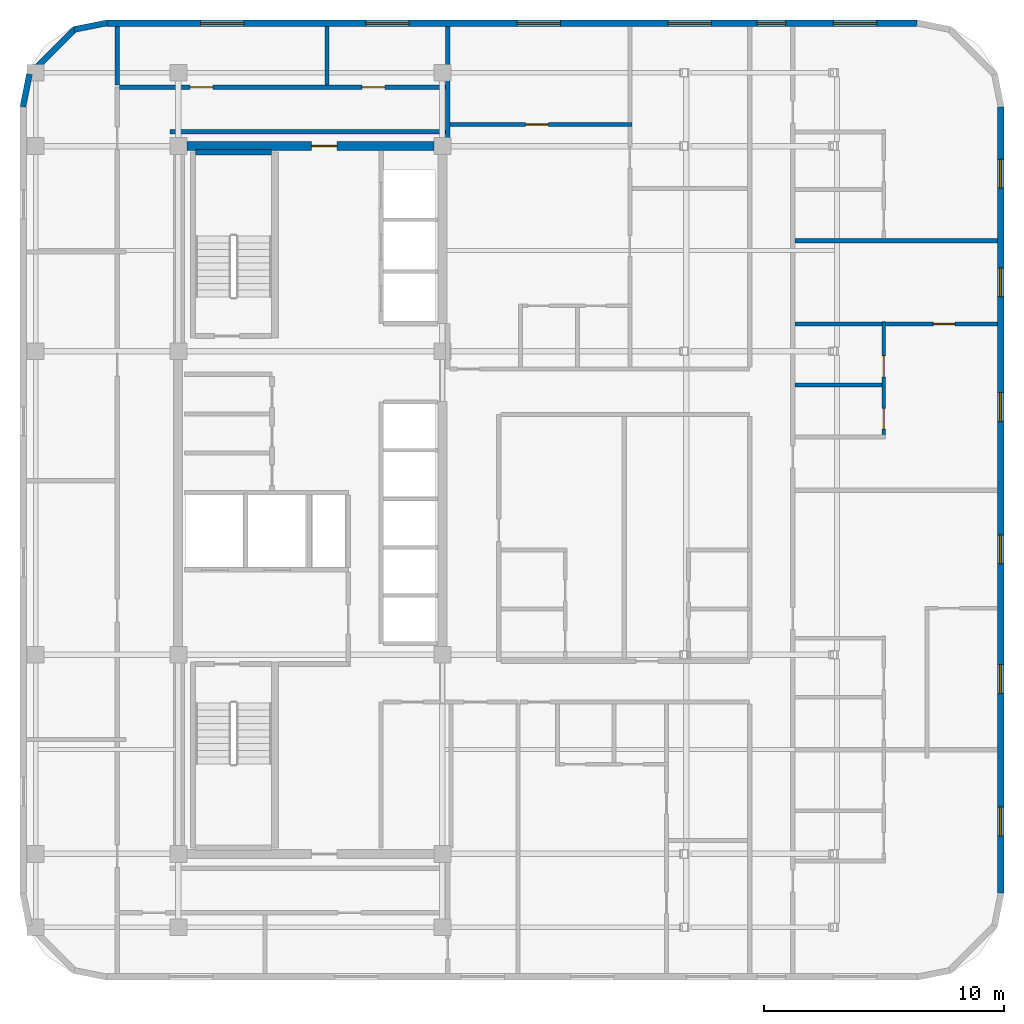
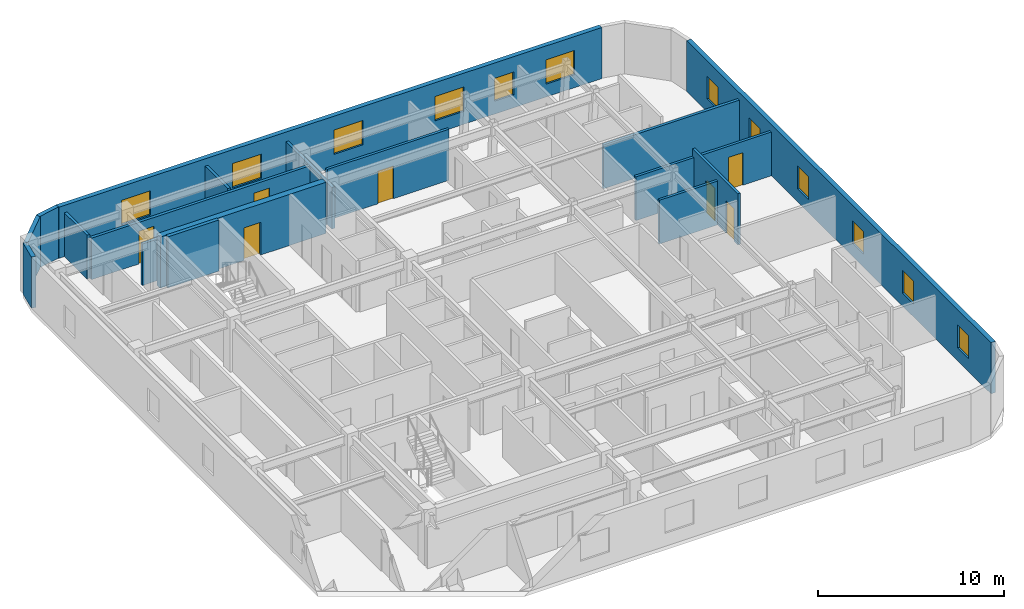
# One storey, part 6 of 8: 17 walls, 12 windows, 7 doors, 19 openings.
"""IFC4 building model written with IfcOpenShell, lengths in metres."""

from ifc_helpers import new_model, si_unit, direction, frame, frame_2d, origin, place, context, subcontext, project, spatial, rectangle, extrude, material, layer, layer_set, type_object, element, fill, save


model = new_model("IFC4")

# Units and contexts
model_context = context("Model", 3, precision=1e-05, world=origin(), true_north=direction((0.0, 1.0)))
body_context = subcontext(model_context, "Body", "Model", "MODEL_VIEW")
ifc_project = project(units=[si_unit("LENGTHUNIT", "METRE"), si_unit("AREAUNIT", "SQUARE_METRE"), si_unit("VOLUMEUNIT", "CUBIC_METRE"), si_unit("PLANEANGLEUNIT", "RADIAN"), si_unit("MASSUNIT", "GRAM", prefix="KILO")], contexts=[model_context])

# Site, building, storey
site_placement = place(None, origin())
site = spatial("IfcSite", under=ifc_project, at=site_placement, CompositionType="ELEMENT")
building_placement = place(site_placement, origin())
building = spatial("IfcBuilding", under=site, at=building_placement, Name="Ochreholt Gables", CompositionType="ELEMENT")
storey_placement = place(building_placement, frame((0.0, 0.0, 151.800048828125)))
storey = spatial("IfcBuildingStorey", under=building, at=storey_placement, Name="L39", CompositionType="ELEMENT", Elevation=151.800048828125)

# Wall, opening, door
ifc_material_1 = material(Name="Concrete 50 MPa", Category="concrete")
ifc_layer_1 = layer(ifc_material_1, 0.3798828125, Name="Concrete 50 MPa")
ifc_layer_set_1 = layer_set([ifc_layer_1], Name="Concrete 50 MPa")
wall_type_1 = type_object("IfcWallType", Name="WALL-CSW-380", PredefinedType="SHEAR", material=ifc_layer_set_1)
wall_1_placement = place(storey_placement, frame((24.550048828125, 38.75, 0.0), z_axis=(0.0, 0.0, 1.0), x_axis=(1.0, 0.0, 0.0)))
wall_1 = element("IfcWall", 1, at=wall_1_placement, inside=storey, type_object=wall_type_1, Name="L39 Core North Shear Wall", PredefinedType="SHEAR", context=body_context, shape_type="SweptSolid", body=[
    extrude(rectangle(XDim=10.300048828125, YDim=0.3798828125, at=frame_2d((5.14990234375, 0.0))), origin(), (0.0, 0.0, 1.0), 3.35986328125),
])
opening_1_placement = place(wall_1_placement, frame((5.199951171875, 0.0, 0.0)))
opening_1 = element("IfcOpeningElement", 2, at=opening_1_placement, cuts=wall_1, Name="Opening D-FLB", PredefinedType="OPENING", context=body_context, shape_type="SweptSolid", body=[
    extrude(rectangle(XDim=1.050048828125, YDim=2.14990234375, at=frame_2d((0.52490234375, 1.074951171875))), frame((0.0, 0.199951171875, 0.0), z_axis=(0.0, -1.0, 0.0), x_axis=(1.0, 0.0, 0.0)), (0.0, 0.0, 1.0), 0.39990234375),
])
ifc_material_2 = material(Name="Hollow Metal Steel", Category="steel")
door_type_1 = type_object("IfcDoorType", Name="DR-INT-FLB1050", OperationType="NOTDEFINED", PredefinedType="DOOR", material=ifc_material_2)
door_1_placement = place(opening_1_placement, frame((1.050048828125, 0.0, 0.0), z_axis=(0.0, 0.0, 1.0), x_axis=(-1.0, 0.0, 0.0)))
door_1 = element("IfcDoor", 3, at=door_1_placement, inside=storey, type_object=door_type_1, Name="L39 Door D-C2CRN-L39", OperationType="SINGLE_SWING_RIGHT", OverallHeight=2.14990234375, OverallWidth=1.050048828125, PredefinedType="DOOR", context=body_context, shape_type="SweptSolid", body=[
    extrude(rectangle(XDim=1.050048828125, YDim=2.14990234375, at=frame_2d((0.52490234375, 1.074951171875))), frame((0.0, 0.02490234375, 0.0), z_axis=(0.0, -1.0, 0.0), x_axis=(1.0, 0.0, 0.0)), (0.0, 0.0, 1.0), 0.050048828125),
])
fill(opening_1, door_1)

# Wall, openings, windows
ifc_material_3 = material(Name="Precast concrete 40 MPa", Category="concrete")
ifc_layer_2 = layer(ifc_material_3, 0.280029296875, Name="Precast concrete 40 MPa")
ifc_layer_set_2 = layer_set([ifc_layer_2], Name="Precast concrete 40 MPa")
wall_type_2 = type_object("IfcWallType", Name="WALL-EXT-280", PredefinedType="SOLIDWALL", material=ifc_layer_set_2)
wall_2_placement = place(storey_placement, frame((58.4599609375, 7.6201171875, 0.0), z_axis=(0.0, 0.0, 1.0), x_axis=(0.0, 1.0, 0.0)))
wall_2 = element("IfcWall", 4, at=wall_2_placement, inside=storey, type_object=wall_type_2, Name="L39 East Exterior Wall", PredefinedType="SOLIDWALL", context=body_context, shape_type="SweptSolid", body=[
    extrude(rectangle(XDim=32.759765625, YDim=0.280029296875, at=frame_2d((16.3798828125, 0.0))), origin(), (0.0, 0.0, 1.0), 3.35986328125),
])
opening_2_placement = place(wall_2_placement, frame((2.389892578125, 0.0, 0.85009765625)))
opening_2 = element("IfcOpeningElement", 5, at=opening_2_placement, cuts=wall_2, Name="Opening WN-3", PredefinedType="OPENING", context=body_context, shape_type="SweptSolid", body=[
    extrude(rectangle(XDim=1.199951171875, YDim=1.5, at=frame_2d((0.60009765625, 0.75))), frame((0.0, 0.14990234375, 0.0), z_axis=(0.0, -1.0, 0.0), x_axis=(1.0, 0.0, 0.0)), (0.0, 0.0, 1.0), 0.300048828125),
])
opening_3_placement = place(wall_2_placement, frame((8.324951171875, 0.0, 0.85009765625)))
opening_3 = element("IfcOpeningElement", 6, at=opening_3_placement, cuts=wall_2, Name="Opening WN-3", PredefinedType="OPENING", context=body_context, shape_type="SweptSolid", body=[
    extrude(rectangle(XDim=1.199951171875, YDim=1.5, at=frame_2d((0.60009765625, 0.75))), frame((0.0, 0.14990234375, 0.0), z_axis=(0.0, -1.0, 0.0), x_axis=(1.0, 0.0, 0.0)), (0.0, 0.0, 1.0), 0.300048828125),
])
opening_4_placement = place(wall_2_placement, frame((13.72509765625, 0.0, 0.85009765625)))
opening_4 = element("IfcOpeningElement", 7, at=opening_4_placement, cuts=wall_2, Name="Opening WN-3", PredefinedType="OPENING", context=body_context, shape_type="SweptSolid", body=[
    extrude(rectangle(XDim=1.199951171875, YDim=1.5, at=frame_2d((0.60009765625, 0.75))), frame((0.0, 0.14990234375, 0.0), z_axis=(0.0, -1.0, 0.0), x_axis=(1.0, 0.0, 0.0)), (0.0, 0.0, 1.0), 0.300048828125),
])
opening_5_placement = place(wall_2_placement, frame((19.648681640625, 0.0, 0.85009765625)))
opening_5 = element("IfcOpeningElement", 8, at=opening_5_placement, cuts=wall_2, Name="Opening WN-3", PredefinedType="OPENING", context=body_context, shape_type="SweptSolid", body=[
    extrude(rectangle(XDim=1.199951171875, YDim=1.5, at=frame_2d((0.60009765625, 0.75))), frame((0.0, 0.14990234375, 0.0), z_axis=(0.0, -1.0, 0.0), x_axis=(1.0, 0.0, 0.0)), (0.0, 0.0, 1.0), 0.300048828125),
])
opening_6_placement = place(wall_2_placement, frame((24.8486328125, 0.0, 0.85009765625)))
opening_6 = element("IfcOpeningElement", 9, at=opening_6_placement, cuts=wall_2, Name="Opening WN-3", PredefinedType="OPENING", context=body_context, shape_type="SweptSolid", body=[
    extrude(rectangle(XDim=1.199951171875, YDim=1.5, at=frame_2d((0.60009765625, 0.75))), frame((0.0, 0.14990234375, 0.0), z_axis=(0.0, -1.0, 0.0), x_axis=(1.0, 0.0, 0.0)), (0.0, 0.0, 1.0), 0.300048828125),
])
opening_7_placement = place(wall_2_placement, frame((29.3701171875, 0.0, 0.85009765625)))
opening_7 = element("IfcOpeningElement", 10, at=opening_7_placement, cuts=wall_2, Name="Opening WN-3", PredefinedType="OPENING", context=body_context, shape_type="SweptSolid", body=[
    extrude(rectangle(XDim=1.199951171875, YDim=1.5, at=frame_2d((0.60009765625, 0.75))), frame((0.0, 0.14990234375, 0.0), z_axis=(0.0, -1.0, 0.0), x_axis=(1.0, 0.0, 0.0)), (0.0, 0.0, 1.0), 0.300048828125),
])
ifc_material_4 = material(Name="Triple-Glazed Thermally Broken Aluminium Window", Category="aluminium")
window_type_1 = type_object("IfcWindowType", Name="WIN-RES-1200", PartitioningType="SINGLE_PANEL", PredefinedType="WINDOW", material=ifc_material_4)
window_1_placement = place(opening_2_placement, origin())
window_1 = element("IfcWindow", 11, at=window_1_placement, inside=storey, type_object=window_type_1, Name="L39 Window W-EXT-E-L39-1", OverallHeight=1.5, OverallWidth=1.199951171875, PartitioningType="SINGLE_PANEL", PredefinedType="WINDOW", context=body_context, shape_type="SweptSolid", body=[
    extrude(rectangle(XDim=1.199951171875, YDim=1.5, at=frame_2d((0.60009765625, 0.75))), frame((0.0, 0.030029296875, 0.0), z_axis=(0.0, -1.0, 0.0), x_axis=(1.0, 0.0, 0.0)), (0.0, 0.0, 1.0), 0.06005859375),
])
fill(opening_2, window_1)
window_2_placement = place(opening_3_placement, origin())
window_2 = element("IfcWindow", 12, at=window_2_placement, inside=storey, type_object=window_type_1, Name="L39 Window W-EXT-E-L39-2", OverallHeight=1.5, OverallWidth=1.199951171875, PartitioningType="SINGLE_PANEL", PredefinedType="WINDOW", context=body_context, shape_type="SweptSolid", body=[
    extrude(rectangle(XDim=1.199951171875, YDim=1.5, at=frame_2d((0.60009765625, 0.75))), frame((0.0, 0.030029296875, 0.0), z_axis=(0.0, -1.0, 0.0), x_axis=(1.0, 0.0, 0.0)), (0.0, 0.0, 1.0), 0.06005859375),
])
fill(opening_3, window_2)
window_3_placement = place(opening_4_placement, origin())
window_3 = element("IfcWindow", 13, at=window_3_placement, inside=storey, type_object=window_type_1, Name="L39 Window W-EXT-E-L39-3", OverallHeight=1.5, OverallWidth=1.199951171875, PartitioningType="SINGLE_PANEL", PredefinedType="WINDOW", context=body_context, shape_type="SweptSolid", body=[
    extrude(rectangle(XDim=1.199951171875, YDim=1.5, at=frame_2d((0.60009765625, 0.75))), frame((0.0, 0.030029296875, 0.0), z_axis=(0.0, -1.0, 0.0), x_axis=(1.0, 0.0, 0.0)), (0.0, 0.0, 1.0), 0.06005859375),
])
fill(opening_4, window_3)
window_4_placement = place(opening_5_placement, origin())
window_4 = element("IfcWindow", 14, at=window_4_placement, inside=storey, type_object=window_type_1, Name="L39 Window W-EXT-E-L39-4", OverallHeight=1.5, OverallWidth=1.199951171875, PartitioningType="SINGLE_PANEL", PredefinedType="WINDOW", context=body_context, shape_type="SweptSolid", body=[
    extrude(rectangle(XDim=1.199951171875, YDim=1.5, at=frame_2d((0.60009765625, 0.75))), frame((0.0, 0.030029296875, 0.0), z_axis=(0.0, -1.0, 0.0), x_axis=(1.0, 0.0, 0.0)), (0.0, 0.0, 1.0), 0.06005859375),
])
fill(opening_5, window_4)
window_5_placement = place(opening_6_placement, origin())
window_5 = element("IfcWindow", 15, at=window_5_placement, inside=storey, type_object=window_type_1, Name="L39 Window W-EXT-E-L39-5", OverallHeight=1.5, OverallWidth=1.199951171875, PartitioningType="SINGLE_PANEL", PredefinedType="WINDOW", context=body_context, shape_type="SweptSolid", body=[
    extrude(rectangle(XDim=1.199951171875, YDim=1.5, at=frame_2d((0.60009765625, 0.75))), frame((0.0, 0.030029296875, 0.0), z_axis=(0.0, -1.0, 0.0), x_axis=(1.0, 0.0, 0.0)), (0.0, 0.0, 1.0), 0.06005859375),
])
fill(opening_6, window_5)
window_6_placement = place(opening_7_placement, origin())
window_6 = element("IfcWindow", 16, at=window_6_placement, inside=storey, type_object=window_type_1, Name="L39 Window W-EXT-E-L39-6", OverallHeight=1.5, OverallWidth=1.199951171875, PartitioningType="SINGLE_PANEL", PredefinedType="WINDOW", context=body_context, shape_type="SweptSolid", body=[
    extrude(rectangle(XDim=1.199951171875, YDim=1.5, at=frame_2d((0.60009765625, 0.75))), frame((0.0, 0.030029296875, 0.0), z_axis=(0.0, -1.0, 0.0), x_axis=(1.0, 0.0, 0.0)), (0.0, 0.0, 1.0), 0.06005859375),
])
fill(opening_7, window_6)

wall_3_placement = place(storey_placement, frame((54.97998046875, 43.860107421875, 0.0), z_axis=(0.0, 0.0, 1.0), x_axis=(-1.0, 0.0, 0.0)))
wall_3 = element("IfcWall", 17, at=wall_3_placement, inside=storey, type_object=wall_type_2, Name="L39 North Exterior Wall", PredefinedType="SOLIDWALL", context=body_context, shape_type="SweptSolid", body=[
    extrude(rectangle(XDim=33.760009765625, YDim=0.280029296875, at=frame_2d((16.8798828125, 0.0))), origin(), (0.0, 0.0, 1.0), 3.35986328125),
])
opening_8_placement = place(wall_3_placement, frame((28.054931640625, 0.0, 0.85009765625)))
opening_8 = element("IfcOpeningElement", 18, at=opening_8_placement, cuts=wall_3, Name="Opening WN-1", PredefinedType="OPENING", context=body_context, shape_type="SweptSolid", body=[
    extrude(rectangle(XDim=1.800048828125, YDim=1.60009765625, at=frame_2d((0.89990234375, 0.800048828125))), frame((0.0, 0.14990234375, 0.0), z_axis=(0.0, -1.0, 0.0), x_axis=(1.0, 0.0, 0.0)), (0.0, 0.0, 1.0), 0.300048828125),
])
opening_9_placement = place(wall_3_placement, frame((21.169921875, 0.0, 0.85009765625)))
opening_9 = element("IfcOpeningElement", 19, at=opening_9_placement, cuts=wall_3, Name="Opening WN-1", PredefinedType="OPENING", context=body_context, shape_type="SweptSolid", body=[
    extrude(rectangle(XDim=1.800048828125, YDim=1.60009765625, at=frame_2d((0.89990234375, 0.800048828125))), frame((0.0, 0.14990234375, 0.0), z_axis=(0.0, -1.0, 0.0), x_axis=(1.0, 0.0, 0.0)), (0.0, 0.0, 1.0), 0.300048828125),
])
opening_10_placement = place(wall_3_placement, frame((14.864990234375, 0.0, 0.85009765625)))
opening_10 = element("IfcOpeningElement", 20, at=opening_10_placement, cuts=wall_3, Name="Opening WN-1", PredefinedType="OPENING", context=body_context, shape_type="SweptSolid", body=[
    extrude(rectangle(XDim=1.800048828125, YDim=1.60009765625, at=frame_2d((0.89990234375, 0.800048828125))), frame((0.0, 0.14990234375, 0.0), z_axis=(0.0, -1.0, 0.0), x_axis=(1.0, 0.0, 0.0)), (0.0, 0.0, 1.0), 0.300048828125),
])
opening_11_placement = place(wall_3_placement, frame((8.574951171875, 0.0, 0.85009765625)))
opening_11 = element("IfcOpeningElement", 21, at=opening_11_placement, cuts=wall_3, Name="Opening WN-1", PredefinedType="OPENING", context=body_context, shape_type="SweptSolid", body=[
    extrude(rectangle(XDim=1.800048828125, YDim=1.60009765625, at=frame_2d((0.89990234375, 0.800048828125))), frame((0.0, 0.14990234375, 0.0), z_axis=(0.0, -1.0, 0.0), x_axis=(1.0, 0.0, 0.0)), (0.0, 0.0, 1.0), 0.300048828125),
])
opening_12_placement = place(wall_3_placement, frame((5.47998046875, 0.0, 0.85009765625)))
opening_12 = element("IfcOpeningElement", 22, at=opening_12_placement, cuts=wall_3, Name="Opening WN-3", PredefinedType="OPENING", context=body_context, shape_type="SweptSolid", body=[
    extrude(rectangle(XDim=1.199951171875, YDim=1.5, at=frame_2d((0.60009765625, 0.75))), frame((0.0, 0.14990234375, 0.0), z_axis=(0.0, -1.0, 0.0), x_axis=(1.0, 0.0, 0.0)), (0.0, 0.0, 1.0), 0.300048828125),
])
opening_13_placement = place(wall_3_placement, frame((1.68994140625, 0.0, 0.85009765625)))
opening_13 = element("IfcOpeningElement", 23, at=opening_13_placement, cuts=wall_3, Name="Opening WN-1", PredefinedType="OPENING", context=body_context, shape_type="SweptSolid", body=[
    extrude(rectangle(XDim=1.800048828125, YDim=1.60009765625, at=frame_2d((0.89990234375, 0.800048828125))), frame((0.0, 0.14990234375, 0.0), z_axis=(0.0, -1.0, 0.0), x_axis=(1.0, 0.0, 0.0)), (0.0, 0.0, 1.0), 0.300048828125),
])
window_7_placement = place(opening_12_placement, origin())
window_7 = element("IfcWindow", 24, at=window_7_placement, inside=storey, type_object=window_type_1, Name="L39 Window W-EXT-N-L39-5", OverallHeight=1.5, OverallWidth=1.199951171875, PartitioningType="SINGLE_PANEL", PredefinedType="WINDOW", context=body_context, shape_type="SweptSolid", body=[
    extrude(rectangle(XDim=1.199951171875, YDim=1.5, at=frame_2d((0.60009765625, 0.75))), frame((0.0, 0.030029296875, 0.0), z_axis=(0.0, -1.0, 0.0), x_axis=(1.0, 0.0, 0.0)), (0.0, 0.0, 1.0), 0.06005859375),
])
fill(opening_12, window_7)
window_type_2 = type_object("IfcWindowType", Name="WIN-RES-1800", PartitioningType="SINGLE_PANEL", PredefinedType="WINDOW", material=ifc_material_4)
window_8_placement = place(opening_8_placement, origin())
window_8 = element("IfcWindow", 25, at=window_8_placement, inside=storey, type_object=window_type_2, Name="L39 Window W-EXT-N-L39-1", OverallHeight=1.60009765625, OverallWidth=1.800048828125, PartitioningType="SINGLE_PANEL", PredefinedType="WINDOW", context=body_context, shape_type="SweptSolid", body=[
    extrude(rectangle(XDim=1.800048828125, YDim=1.60009765625, at=frame_2d((0.89990234375, 0.800048828125))), frame((0.0, 0.030029296875, 0.0), z_axis=(0.0, -1.0, 0.0), x_axis=(1.0, 0.0, 0.0)), (0.0, 0.0, 1.0), 0.06005859375),
])
fill(opening_8, window_8)
window_9_placement = place(opening_9_placement, origin())
window_9 = element("IfcWindow", 26, at=window_9_placement, inside=storey, type_object=window_type_2, Name="L39 Window W-EXT-N-L39-2", OverallHeight=1.60009765625, OverallWidth=1.800048828125, PartitioningType="SINGLE_PANEL", PredefinedType="WINDOW", context=body_context, shape_type="SweptSolid", body=[
    extrude(rectangle(XDim=1.800048828125, YDim=1.60009765625, at=frame_2d((0.89990234375, 0.800048828125))), frame((0.0, 0.030029296875, 0.0), z_axis=(0.0, -1.0, 0.0), x_axis=(1.0, 0.0, 0.0)), (0.0, 0.0, 1.0), 0.06005859375),
])
fill(opening_9, window_9)
window_10_placement = place(opening_10_placement, origin())
window_10 = element("IfcWindow", 27, at=window_10_placement, inside=storey, type_object=window_type_2, Name="L39 Window W-EXT-N-L39-3", OverallHeight=1.60009765625, OverallWidth=1.800048828125, PartitioningType="SINGLE_PANEL", PredefinedType="WINDOW", context=body_context, shape_type="SweptSolid", body=[
    extrude(rectangle(XDim=1.800048828125, YDim=1.60009765625, at=frame_2d((0.89990234375, 0.800048828125))), frame((0.0, 0.030029296875, 0.0), z_axis=(0.0, -1.0, 0.0), x_axis=(1.0, 0.0, 0.0)), (0.0, 0.0, 1.0), 0.06005859375),
])
fill(opening_10, window_10)
window_11_placement = place(opening_11_placement, origin())
window_11 = element("IfcWindow", 28, at=window_11_placement, inside=storey, type_object=window_type_2, Name="L39 Window W-EXT-N-L39-4", OverallHeight=1.60009765625, OverallWidth=1.800048828125, PartitioningType="SINGLE_PANEL", PredefinedType="WINDOW", context=body_context, shape_type="SweptSolid", body=[
    extrude(rectangle(XDim=1.800048828125, YDim=1.60009765625, at=frame_2d((0.89990234375, 0.800048828125))), frame((0.0, 0.030029296875, 0.0), z_axis=(0.0, -1.0, 0.0), x_axis=(1.0, 0.0, 0.0)), (0.0, 0.0, 1.0), 0.06005859375),
])
fill(opening_11, window_11)
window_12_placement = place(opening_13_placement, origin())
window_12 = element("IfcWindow", 29, at=window_12_placement, inside=storey, type_object=window_type_2, Name="L39 Window W-EXT-N-L39-6", OverallHeight=1.60009765625, OverallWidth=1.800048828125, PartitioningType="SINGLE_PANEL", PredefinedType="WINDOW", context=body_context, shape_type="SweptSolid", body=[
    extrude(rectangle(XDim=1.800048828125, YDim=1.60009765625, at=frame_2d((0.89990234375, 0.800048828125))), frame((0.0, 0.030029296875, 0.0), z_axis=(0.0, -1.0, 0.0), x_axis=(1.0, 0.0, 0.0)), (0.0, 0.0, 1.0), 0.06005859375),
])
fill(opening_13, window_12)

# Walls
ifc_layer_3 = layer(ifc_material_3, 0.25, Name="Precast concrete 40 MPa")
ifc_layer_set_3 = layer_set([ifc_layer_3], Name="Precast concrete 40 MPa")
wall_type_3 = type_object("IfcWallType", Name="WALL-EXT-CNR", PredefinedType="SOLIDWALL", material=ifc_layer_set_3)
wall_4_placement = place(storey_placement, frame((21.216552734375, 43.875732421875, 0.0), z_axis=(0.0, 0.0, 1.0), x_axis=(-0.980809899341, -0.19496651342, 0.0)))
element("IfcWall", 30, at=wall_4_placement, inside=storey, type_object=wall_type_3, Name="L39 Rounded Corner Wall NW-1", PredefinedType="SOLIDWALL", context=body_context, shape_type="SweptSolid", body=[
    extrude(rectangle(XDim=1.388671875, YDim=0.25, at=frame_2d((0.6943359375, 0.0))), origin(), (0.0, 0.0, 1.0), 3.35986328125),
])
wall_5_placement = place(storey_placement, frame((19.905029296875, 43.632080078125, 0.0), z_axis=(0.0, 0.0, 1.0), x_axis=(-0.707106781187, -0.707106781187, 0.0)))
element("IfcWall", 31, at=wall_5_placement, inside=storey, type_object=wall_type_3, Name="L39 Rounded Corner Wall NW-2", PredefinedType="SOLIDWALL", context=body_context, shape_type="SweptSolid", body=[
    extrude(rectangle(XDim=2.7392578125, YDim=0.25, at=frame_2d((1.36962890625, 0.0))), origin(), (0.0, 0.0, 1.0), 3.35986328125),
])
wall_6_placement = place(storey_placement, frame((17.9951171875, 41.74560546875, 0.0), z_axis=(0.0, 0.0, 1.0), x_axis=(-0.195135625965, -0.9807762678, 0.0)))
element("IfcWall", 32, at=wall_6_placement, inside=storey, type_object=wall_type_3, Name="L39 Rounded Corner Wall NW-3", PredefinedType="SOLIDWALL", context=body_context, shape_type="SweptSolid", body=[
    extrude(rectangle(XDim=1.388671875, YDim=0.25, at=frame_2d((0.6943359375, 0.0))), origin(), (0.0, 0.0, 1.0), 3.35986328125),
])

# Wall, openings, doors
ifc_material_5 = material(Name="Fire-Rated Gypsum Acoustic Partition", Category="gypsum")
ifc_layer_4 = layer(ifc_material_5, 0.179931640625, Name="Fire-Rated Gypsum Acoustic Partition")
ifc_layer_set_4 = layer_set([ifc_layer_4], Name="Fire-Rated Gypsum Acoustic Partition")
wall_type_4 = type_object("IfcWallType", Name="WALL-INT-CR180", PredefinedType="STANDARD", material=ifc_layer_set_4)
wall_7_placement = place(storey_placement, frame((21.739990234375, 41.199951171875, 0.0), z_axis=(0.0, 0.0, 1.0), x_axis=(1.0, 0.0, 0.0)))
wall_7 = element("IfcWall", 33, at=wall_7_placement, inside=storey, type_object=wall_type_4, Name="L39 Interior Wall WI-C2WCN-L39", PredefinedType="STANDARD", context=body_context, shape_type="SweptSolid", body=[
    extrude(rectangle(XDim=13.679931640625, YDim=0.179931640625, at=frame_2d((6.83984375, 0.0))), origin(), (0.0, 0.0, 1.0), 2.72998046875),
])
opening_14_placement = place(wall_7_placement, frame((2.949951171875, 0.0, 0.0)))
opening_14 = element("IfcOpeningElement", 34, at=opening_14_placement, cuts=wall_7, Name="Opening D-GN1", PredefinedType="OPENING", context=body_context, shape_type="SweptSolid", body=[
    extrude(rectangle(XDim=0.949951171875, YDim=2.14990234375, at=frame_2d((0.47509765625, 1.074951171875))), frame((0.0, 0.099853515625, 0.0), z_axis=(0.0, -1.0, 0.0), x_axis=(1.0, 0.0, 0.0)), (0.0, 0.0, 1.0), 0.199951171875),
])
opening_15_placement = place(wall_7_placement, frame((10.110107421875, 0.0, 0.0)))
opening_15 = element("IfcOpeningElement", 35, at=opening_15_placement, cuts=wall_7, Name="Opening D-GN1", PredefinedType="OPENING", context=body_context, shape_type="SweptSolid", body=[
    extrude(rectangle(XDim=0.949951171875, YDim=2.14990234375, at=frame_2d((0.47509765625, 1.074951171875))), frame((0.0, 0.099853515625, 0.0), z_axis=(0.0, -1.0, 0.0), x_axis=(1.0, 0.0, 0.0)), (0.0, 0.0, 1.0), 0.199951171875),
])
ifc_material_6 = material(Name="Engineered Oak Timber", Category="wood")
door_type_2 = type_object("IfcDoorType", Name="DR-INT-GEN950", OperationType="NOTDEFINED", PredefinedType="DOOR", material=ifc_material_6)
door_2_placement = place(opening_14_placement, origin())
door_2 = element("IfcDoor", 36, at=door_2_placement, inside=storey, type_object=door_type_2, Name="L39 Door D-C2NRS1-L39", OperationType="SINGLE_SWING_RIGHT", OverallHeight=2.14990234375, OverallWidth=0.949951171875, PredefinedType="DOOR", context=body_context, shape_type="SweptSolid", body=[
    extrude(rectangle(XDim=0.949951171875, YDim=2.14990234375, at=frame_2d((0.47509765625, 1.074951171875))), frame((0.0, 0.02490234375, 0.0), z_axis=(0.0, -1.0, 0.0), x_axis=(1.0, 0.0, 0.0)), (0.0, 0.0, 1.0), 0.050048828125),
])
fill(opening_14, door_2)
door_3_placement = place(opening_15_placement, origin())
door_3 = element("IfcDoor", 37, at=door_3_placement, inside=storey, type_object=door_type_2, Name="L39 Door D-C2NRS2-L39", OperationType="SINGLE_SWING_LEFT", OverallHeight=2.14990234375, OverallWidth=0.949951171875, PredefinedType="DOOR", context=body_context, shape_type="SweptSolid", body=[
    extrude(rectangle(XDim=0.949951171875, YDim=2.14990234375, at=frame_2d((0.47509765625, 1.074951171875))), frame((0.0, 0.02490234375, 0.0), z_axis=(0.0, -1.0, 0.0), x_axis=(1.0, 0.0, 0.0)), (0.0, 0.0, 1.0), 0.050048828125),
])
fill(opening_15, door_3)

# Walls
wall_8_placement = place(storey_placement, frame((23.85009765625, 39.35009765625, 0.0), z_axis=(0.0, 0.0, 1.0), x_axis=(1.0, 0.0, 0.0)))
element("IfcWall", 38, at=wall_8_placement, inside=storey, type_object=wall_type_4, Name="L39 Interior Wall WI-C2WCN2-L39", PredefinedType="STANDARD", context=body_context, shape_type="SweptSolid", body=[
    extrude(rectangle(XDim=11.56982421875, YDim=0.179931640625, at=frame_2d((5.784912109375, 0.0))), origin(), (0.0, 0.0, 1.0), 2.72998046875),
])
ifc_material_7 = material(Name="Double-Stud Acoustic Demising Wall", Category="gypsum")
ifc_layer_5 = layer(ifc_material_7, 0.179931640625, Name="Double-Stud Acoustic Demising Wall")
ifc_layer_set_5 = layer_set([ifc_layer_5], Name="Double-Stud Acoustic Demising Wall")
wall_type_5 = type_object("IfcWallType", Name="WALL-INT-DM180", PredefinedType="PARTITIONING", material=ifc_layer_set_5)
wall_9_placement = place(storey_placement, frame((21.64990234375, 41.2900390625, 0.0), z_axis=(0.0, 0.0, 1.0), x_axis=(0.0, 1.0, 0.0)))
element("IfcWall", 39, at=wall_9_placement, inside=storey, type_object=wall_type_5, Name="L39 Interior Wall WI-C2WWN-L39", PredefinedType="PARTITIONING", context=body_context, shape_type="SweptSolid", body=[
    extrude(rectangle(XDim=2.429931640625, YDim=0.179931640625, at=frame_2d((1.21484375, 0.0))), origin(), (0.0, 0.0, 1.0), 2.87890625),
])
wall_10_placement = place(storey_placement, frame((35.419921875, 38.75, 0.0), z_axis=(0.0, 0.0, 1.0), x_axis=(0.0, 1.0, 0.0)))
element("IfcWall", 40, at=wall_10_placement, inside=storey, type_object=wall_type_5, Name="L39 Interior Wall WI-C2NEN-L39", PredefinedType="PARTITIONING", context=body_context, shape_type="SweptSolid", body=[
    extrude(rectangle(XDim=4.969970703125, YDim=0.179931640625, at=frame_2d((2.48486328125, 0.0))), origin(), (0.0, 0.0, 1.0), 2.72998046875),
])
wall_11_placement = place(storey_placement, frame((49.889892578125, 34.800048828125, 0.0), z_axis=(0.0, 0.0, 1.0), x_axis=(1.0, 0.0, 0.0)))
element("IfcWall", 41, at=wall_11_placement, inside=storey, type_object=wall_type_5, Name="L39 Interior Wall WI-C2FED4-L39", PredefinedType="PARTITIONING", context=body_context, shape_type="SweptSolid", body=[
    extrude(rectangle(XDim=8.43017578125, YDim=0.179931640625, at=frame_2d((4.215087890625, 0.0))), origin(), (0.0, 0.0, 1.0), 2.87890625),
])

# Wall, openings, doors
ifc_material_8 = material(Name="Moisture-Resistant Plumbing Chase Wall", Category="gypsum")
ifc_layer_6 = layer(ifc_material_8, 0.159912109375, Name="Moisture-Resistant Plumbing Chase Wall")
ifc_layer_set_6 = layer_set([ifc_layer_6], Name="Moisture-Resistant Plumbing Chase Wall")
wall_type_6 = type_object("IfcWallType", Name="WALL-INT-PL160", PredefinedType="PLUMBINGWALL", material=ifc_layer_set_6)
wall_12_placement = place(storey_placement, frame((53.590087890625, 26.540283203125, 0.0), z_axis=(0.0, 0.0, 1.0), x_axis=(0.0, 1.0, 0.0)))
wall_12 = element("IfcWall", 42, at=wall_12_placement, inside=storey, type_object=wall_type_6, Name="L39 Interior Wall WU-L39FE3-WX", PredefinedType="PLUMBINGWALL", context=body_context, shape_type="SweptSolid", body=[
    extrude(rectangle(XDim=4.88720703125, YDim=0.159912109375, at=frame_2d((2.443603515625, 0.0))), origin(), (0.0, 0.0, 1.0), 3.35986328125),
])
opening_16_placement = place(wall_12_placement, frame((0.419921875, 0.0, 0.0)))
opening_16 = element("IfcOpeningElement", 43, at=opening_16_placement, cuts=wall_12, Name="Opening D-BT1", PredefinedType="OPENING", context=body_context, shape_type="SweptSolid", body=[
    extrude(rectangle(XDim=0.860107421875, YDim=2.1201171875, at=frame_2d((0.43017578125, 1.06005859375))), frame((0.0, 0.08984375, 0.0), z_axis=(0.0, -1.0, 0.0), x_axis=(1.0, 0.0, 0.0)), (0.0, 0.0, 1.0), 0.179931640625),
])
opening_17_placement = place(wall_12_placement, frame((2.585205078125, 0.0, 0.0)))
opening_17 = element("IfcOpeningElement", 44, at=opening_17_placement, cuts=wall_12, Name="Opening D-GN2", PredefinedType="OPENING", context=body_context, shape_type="SweptSolid", body=[
    extrude(rectangle(XDim=0.8798828125, YDim=2.1201171875, at=frame_2d((0.43994140625, 1.06005859375))), frame((0.0, 0.08984375, 0.0), z_axis=(0.0, -1.0, 0.0), x_axis=(1.0, 0.0, 0.0)), (0.0, 0.0, 1.0), 0.179931640625),
])
door_type_3 = type_object("IfcDoorType", Name="DR-INT-BTH860", OperationType="NOTDEFINED", PredefinedType="DOOR", material=ifc_material_6)
door_4_placement = place(opening_16_placement, origin())
door_4 = element("IfcDoor", 45, at=door_4_placement, inside=storey, type_object=door_type_3, Name="L39 Door D-U-L39FE3-BTH", OperationType="SINGLE_SWING_LEFT", OverallHeight=2.1201171875, OverallWidth=0.860107421875, PredefinedType="DOOR", context=body_context, shape_type="SweptSolid", body=[
    extrude(rectangle(XDim=0.860107421875, YDim=2.1201171875, at=frame_2d((0.43017578125, 1.06005859375))), frame((0.0, 0.02490234375, 0.0), z_axis=(0.0, -1.0, 0.0), x_axis=(1.0, 0.0, 0.0)), (0.0, 0.0, 1.0), 0.050048828125),
])
fill(opening_16, door_4)
door_type_4 = type_object("IfcDoorType", Name="DR-INT-GEN880", OperationType="NOTDEFINED", PredefinedType="DOOR", material=ifc_material_6)
door_5_placement = place(opening_17_placement, origin())
door_5 = element("IfcDoor", 46, at=door_5_placement, inside=storey, type_object=door_type_4, Name="L39 Door D-U-L39FE3-KIT", OperationType="SINGLE_SWING_RIGHT", OverallHeight=2.1201171875, OverallWidth=0.8798828125, PredefinedType="DOOR", context=body_context, shape_type="SweptSolid", body=[
    extrude(rectangle(XDim=0.8798828125, YDim=2.1201171875, at=frame_2d((0.43994140625, 1.06005859375))), frame((0.0, 0.02490234375, 0.0), z_axis=(0.0, -1.0, 0.0), x_axis=(1.0, 0.0, 0.0)), (0.0, 0.0, 1.0), 0.050048828125),
])
fill(opening_17, door_5)

# Wall
wall_13_placement = place(storey_placement, frame((49.889892578125, 28.795654296875, 0.0), z_axis=(0.0, 0.0, 1.0), x_axis=(1.0, 0.0, 0.0)))
element("IfcWall", 47, at=wall_13_placement, inside=storey, type_object=wall_type_6, Name="L39 Interior Wall WU-L39FE3-WK", PredefinedType="PLUMBINGWALL", context=body_context, shape_type="SweptSolid", body=[
    extrude(rectangle(XDim=3.6201171875, YDim=0.159912109375, at=frame_2d((1.81005859375, 0.0))), origin(), (0.0, 0.0, 1.0), 2.87890625),
])

# Wall, opening, door
ifc_material_9 = material(Name="Gypsum Acoustic Stud Partition", Category="gypsum")
ifc_layer_7 = layer(ifc_material_9, 0.1650390625, Name="Gypsum Acoustic Stud Partition")
ifc_layer_set_7 = layer_set([ifc_layer_7], Name="Gypsum Acoustic Stud Partition")
wall_type_7 = type_object("IfcWallType", Name="WALL-INT-PT165", PredefinedType="PARTITIONING", material=ifc_layer_set_7)
wall_14_placement = place(storey_placement, frame((35.510009765625, 39.64990234375, 0.0), z_axis=(0.0, 0.0, 1.0), x_axis=(1.0, 0.0, 0.0)))
wall_14 = element("IfcWall", 48, at=wall_14_placement, inside=storey, type_object=wall_type_7, Name="L39 Interior Wall WU-L39N1-DNY", PredefinedType="PARTITIONING", context=body_context, shape_type="SweptSolid", body=[
    extrude(rectangle(XDim=7.580078125, YDim=0.1650390625, at=frame_2d((3.7900390625, 0.0))), origin(), (0.0, 0.0, 1.0), 3.35986328125),
])
opening_18_placement = place(wall_14_placement, frame((3.155029296875, 0.0, 0.0)))
opening_18 = element("IfcOpeningElement", 49, at=opening_18_placement, cuts=wall_14, Name="Opening D-GN1", PredefinedType="OPENING", context=body_context, shape_type="SweptSolid", body=[
    extrude(rectangle(XDim=0.949951171875, YDim=2.14990234375, at=frame_2d((0.47509765625, 1.074951171875))), frame((0.0, 0.092529296875, 0.0), z_axis=(0.0, -1.0, 0.0), x_axis=(1.0, 0.0, 0.0)), (0.0, 0.0, 1.0), 0.18505859375),
])
door_6_placement = place(opening_18_placement, origin())
door_6 = element("IfcDoor", 50, at=door_6_placement, inside=storey, type_object=door_type_2, Name="L39 Door D-U-L39N1-DIN", OperationType="SINGLE_SWING_RIGHT", OverallHeight=2.14990234375, OverallWidth=0.949951171875, PredefinedType="DOOR", context=body_context, shape_type="SweptSolid", body=[
    extrude(rectangle(XDim=0.949951171875, YDim=2.14990234375, at=frame_2d((0.47509765625, 1.074951171875))), frame((0.0, 0.02490234375, 0.0), z_axis=(0.0, -1.0, 0.0), x_axis=(1.0, 0.0, 0.0)), (0.0, 0.0, 1.0), 0.050048828125),
])
fill(opening_18, door_6)

wall_15_placement = place(storey_placement, frame((49.889892578125, 31.33740234375, 0.0), z_axis=(0.0, 0.0, 1.0), x_axis=(1.0, 0.0, 0.0)))
wall_15 = element("IfcWall", 51, at=wall_15_placement, inside=storey, type_object=wall_type_7, Name="L39 Interior Wall WU-L39FE3-MN", PredefinedType="PARTITIONING", context=body_context, shape_type="SweptSolid", body=[
    extrude(rectangle(XDim=8.43017578125, YDim=0.1650390625, at=frame_2d((4.215087890625, 0.0))), origin(), (0.0, 0.0, 1.0), 2.87890625),
])
opening_19_placement = place(wall_15_placement, frame((5.77001953125, 0.0, 0.0)))
opening_19 = element("IfcOpeningElement", 52, at=opening_19_placement, cuts=wall_15, Name="Opening D-BD1", PredefinedType="OPENING", context=body_context, shape_type="SweptSolid", body=[
    extrude(rectangle(XDim=0.89990234375, YDim=2.139892578125, at=frame_2d((0.449951171875, 1.06982421875))), frame((0.0, 0.092529296875, 0.0), z_axis=(0.0, -1.0, 0.0), x_axis=(1.0, 0.0, 0.0)), (0.0, 0.0, 1.0), 0.18505859375),
])
door_type_5 = type_object("IfcDoorType", Name="DR-INT-BED900", OperationType="NOTDEFINED", PredefinedType="DOOR", material=ifc_material_6)
door_7_placement = place(opening_19_placement, origin())
door_7 = element("IfcDoor", 53, at=door_7_placement, inside=storey, type_object=door_type_5, Name="L39 Door D-U-L39FE3-BD1", OperationType="SINGLE_SWING_LEFT", OverallHeight=2.139892578125, OverallWidth=0.89990234375, PredefinedType="DOOR", context=body_context, shape_type="SweptSolid", body=[
    extrude(rectangle(XDim=0.89990234375, YDim=2.139892578125, at=frame_2d((0.449951171875, 1.06982421875))), frame((0.0, 0.02490234375, 0.0), z_axis=(0.0, -1.0, 0.0), x_axis=(1.0, 0.0, 0.0)), (0.0, 0.0, 1.0), 0.050048828125),
])
fill(opening_19, door_7)

# Walls
wall_16_placement = place(storey_placement, frame((30.39990234375, 41.2900390625, 0.0), z_axis=(0.0, 0.0, 1.0), x_axis=(0.0, 1.0, 0.0)))
element("IfcWall", 54, at=wall_16_placement, inside=storey, type_object=wall_type_7, Name="L39 Interior Wall WI-C2PKN-L39", PredefinedType="PARTITIONING", context=body_context, shape_type="SweptSolid", body=[
    extrude(rectangle(XDim=2.429931640625, YDim=0.1650390625, at=frame_2d((1.21484375, 0.0))), origin(), (0.0, 0.0, 1.0), 2.87890625),
])
ifc_layer_8 = layer(ifc_material_1, 0.219970703125, Name="Concrete 50 MPa")
ifc_layer_set_8 = layer_set([ifc_layer_8], Name="Concrete 50 MPa")
wall_type_8 = type_object("IfcWallType", Name="WALL-STW-220", PredefinedType="SHEAR", material=ifc_layer_set_8)
wall_17_placement = place(storey_placement, frame((24.919921875, 38.489990234375, 0.0), z_axis=(0.0, 0.0, 1.0), x_axis=(1.0, 0.0, 0.0)))
element("IfcWall", 55, at=wall_17_placement, inside=storey, type_object=wall_type_8, Name="L39 Exit Stair 2 North Wall", PredefinedType="SHEAR", context=body_context, shape_type="SweptSolid", body=[
    extrude(rectangle(XDim=3.16015625, YDim=0.219970703125, at=frame_2d((1.580078125, 0.0))), origin(), (0.0, 0.0, 1.0), 3.35986328125),
])

save(model, "model.ifc")
